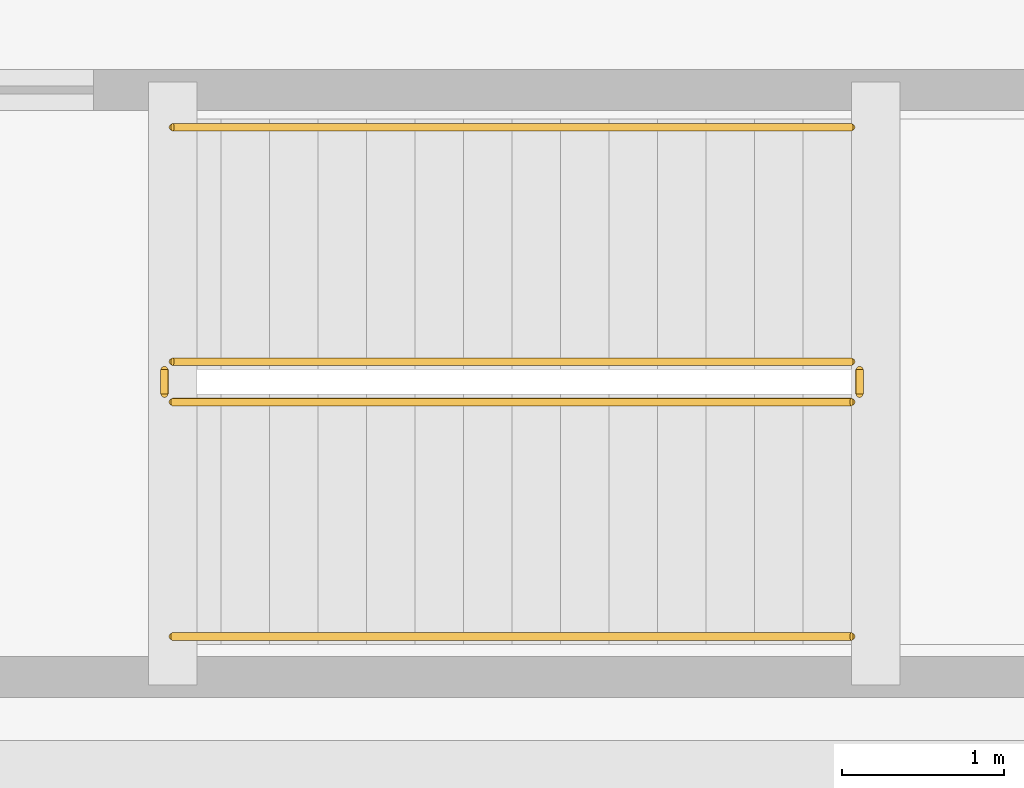
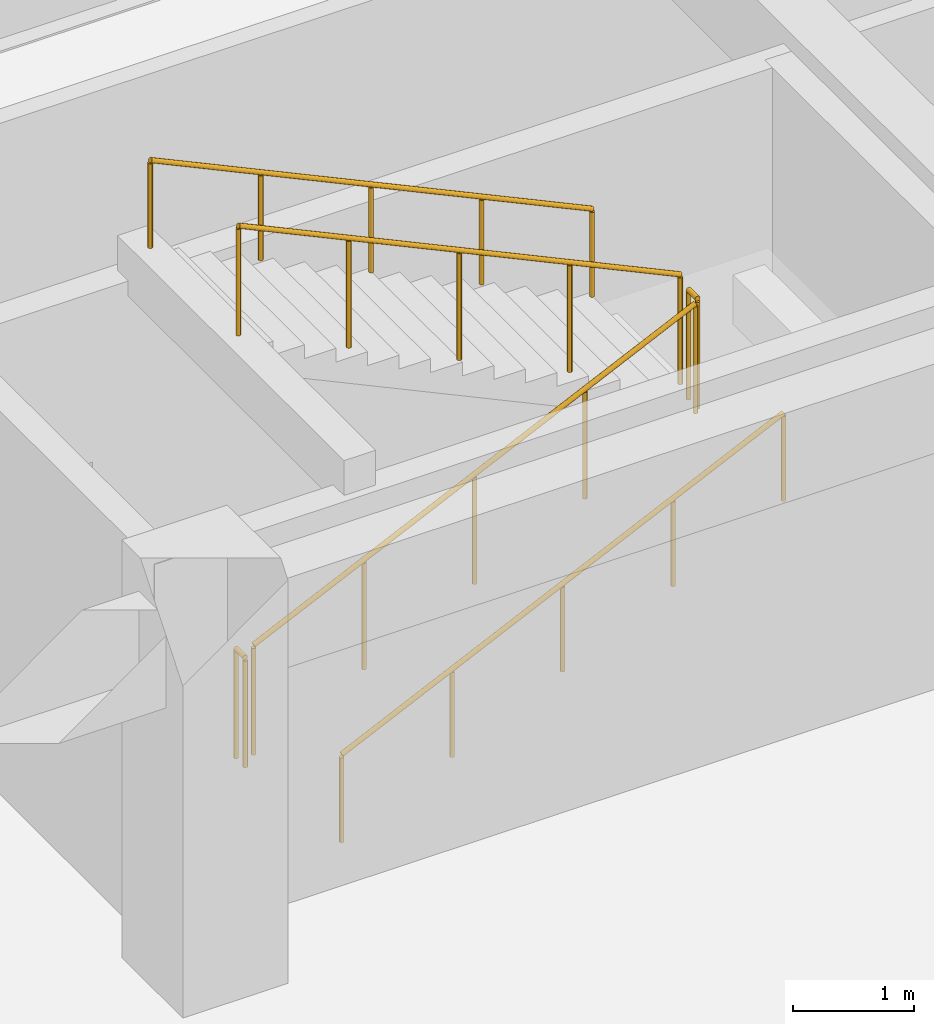
# One storey, part 56 of 63: 6 railings.
"""IFC4 building model written with IfcOpenShell, lengths in metres."""

from ifc_helpers import new_model, si_unit, direction, frame, origin, origin_2d, place, context, subcontext, project, spatial, circle, extrude, material, type_object, element, save


model = new_model("IFC4")

# Units and contexts
model_context = context("Model", 3, precision=1e-05, world=origin(), true_north=direction((0.0, 1.0)))
body_context = subcontext(model_context, "Body", "Model", "MODEL_VIEW")
ifc_project = project(units=[si_unit("LENGTHUNIT", "METRE"), si_unit("AREAUNIT", "SQUARE_METRE"), si_unit("VOLUMEUNIT", "CUBIC_METRE"), si_unit("PLANEANGLEUNIT", "RADIAN"), si_unit("MASSUNIT", "GRAM", prefix="KILO")], contexts=[model_context])

# Site, building, storey
site_placement = place(None, origin())
site = spatial("IfcSite", under=ifc_project, at=site_placement, CompositionType="ELEMENT")
building_placement = place(site_placement, origin())
building = spatial("IfcBuilding", under=site, at=building_placement, Name="Cumbredor Promenade Congress Hotel", CompositionType="ELEMENT")
storey_placement = place(building_placement, frame((0.0, 0.0, -4.199951171875)))
storey = spatial("IfcBuildingStorey", under=building, at=storey_placement, Name="B01", CompositionType="ELEMENT", Elevation=-4.199951171875)

# Railings
ifc_material = material(Name="Brushed stainless steel", Category="steel")
railing_type_1 = type_object("IfcRailingType", Name="Interior Void & Stair Guardrail GR-1100", PredefinedType="GUARDRAIL", material=ifc_material)
railing_1_placement = place(storey_placement, frame((43.800048828125, 103.1201171875, 0.139892578125)))
element("IfcRailing", 1, at=railing_1_placement, inside=storey, type_object=railing_type_1, Name="B01 ST-03 stair guard 1", PredefinedType="GUARDRAIL", context=body_context, shape_type="SweptSolid", body=[
    extrude(circle(Radius=0.02392578125, at=origin_2d()), frame((0.0, 0.0, 1.09619140625), z_axis=(0.906184485727, 0.0, 0.422882581609), x_axis=(0.0, 1.0, 0.0)), (0.0, 0.0, 1.0), 4.634765625),
    extrude(circle(Radius=0.02099609375, at=origin_2d()), origin(), (0.0, 0.0, 1.0), 1.072021484375),
    extrude(circle(Radius=0.02099609375, at=origin_2d()), frame((1.050048828125, 0.0, 0.489990234375)), (0.0, 0.0, 1.0), 1.072021484375),
    extrude(circle(Radius=0.02099609375, at=origin_2d()), frame((2.10009765625, 0.0, 0.97998046875)), (0.0, 0.0, 1.0), 1.072021484375),
    extrude(circle(Radius=0.02099609375, at=origin_2d()), frame((3.14990234375, 0.0, 1.469970703125)), (0.0, 0.0, 1.0), 1.072021484375),
    extrude(circle(Radius=0.02099609375, at=origin_2d()), frame((4.199951171875, 0.0, 1.9599609375)), (0.0, 0.0, 1.0), 1.072021484375),
])
railing_2_placement = place(storey_placement, frame((48.050048828125, 103.169921875, 2.099853515625)))
element("IfcRailing", 2, at=railing_2_placement, inside=storey, type_object=railing_type_1, Name="B01 ST-03 stair guard 2", PredefinedType="GUARDRAIL", context=body_context, shape_type="SweptSolid", body=[
    extrude(circle(Radius=0.02392578125, at=origin_2d()), frame((0.0, 0.0, 1.09619140625), z_axis=(0.0, 1.0, 0.0), x_axis=(-1.0, 0.0, 0.0)), (0.0, 0.0, 1.0), 0.150146484375),
    extrude(circle(Radius=0.02099609375, at=origin_2d()), origin(), (0.0, 0.0, 1.0), 1.072021484375),
    extrude(circle(Radius=0.02099609375, at=origin_2d()), frame((0.0, 0.150146484375, 0.0)), (0.0, 0.0, 1.0), 1.072021484375),
])
railing_3_placement = place(storey_placement, frame((48.0, 103.3701171875, 2.239990234375)))
element("IfcRailing", 3, at=railing_3_placement, inside=storey, type_object=railing_type_1, Name="B01 ST-03 stair guard 3", PredefinedType="GUARDRAIL", context=body_context, shape_type="SweptSolid", body=[
    extrude(circle(Radius=0.02392578125, at=origin_2d()), frame((0.0, 0.0, 1.09619140625), z_axis=(-0.906184485727, 0.0, 0.422882581609), x_axis=(0.0, -1.0, 0.0)), (0.0, 0.0, 1.0), 4.634765625),
    extrude(circle(Radius=0.02099609375, at=origin_2d()), origin(), (0.0, 0.0, 1.0), 1.072021484375),
    extrude(circle(Radius=0.02099609375, at=origin_2d()), frame((-1.050048828125, 0.0, 0.489990234375)), (0.0, 0.0, 1.0), 1.072021484375),
    extrude(circle(Radius=0.02099609375, at=origin_2d()), frame((-2.10009765625, 0.0, 0.97998046875)), (0.0, 0.0, 1.0), 1.072021484375),
    extrude(circle(Radius=0.02099609375, at=origin_2d()), frame((-3.14990234375, 0.0, 1.469970703125)), (0.0, 0.0, 1.0), 1.072021484375),
    extrude(circle(Radius=0.02099609375, at=origin_2d()), frame((-4.199951171875, 0.0, 1.9599609375)), (0.0, 0.0, 1.0), 1.072021484375),
])
railing_4_placement = place(storey_placement, frame((43.75, 103.169921875, 0.0)))
element("IfcRailing", 4, at=railing_4_placement, inside=storey, type_object=railing_type_1, Name="B01 ST-03 stair guard 4", PredefinedType="GUARDRAIL", context=body_context, shape_type="SweptSolid", body=[
    extrude(circle(Radius=0.02392578125, at=origin_2d()), frame((0.0, 0.0, 1.09619140625), z_axis=(0.0, 1.0, 0.0), x_axis=(-1.0, 0.0, 0.0)), (0.0, 0.0, 1.0), 0.150146484375),
    extrude(circle(Radius=0.02099609375, at=origin_2d()), origin(), (0.0, 0.0, 1.0), 1.072021484375),
    extrude(circle(Radius=0.02099609375, at=origin_2d()), frame((0.0, 0.150146484375, 0.0)), (0.0, 0.0, 1.0), 1.072021484375),
])
railing_type_2 = type_object("IfcRailingType", Name="Stair Pitch Handrail HR-900", PredefinedType="HANDRAIL", material=ifc_material)
railing_5_placement = place(storey_placement, frame((43.800048828125, 101.669921875, 0.139892578125)))
element("IfcRailing", 5, at=railing_5_placement, inside=storey, type_object=railing_type_2, Name="B01 ST-03 stair handrail 1", PredefinedType="HANDRAIL", context=body_context, shape_type="SweptSolid", body=[
    extrude(circle(Radius=0.02392578125, at=origin_2d()), frame((0.0, 0.0, 0.8759765625), z_axis=(0.906184485727, 0.0, 0.422882581609), x_axis=(0.0, 1.0, 0.0)), (0.0, 0.0, 1.0), 4.634765625),
    extrude(circle(Radius=0.02099609375, at=origin_2d()), origin(), (0.0, 0.0, 1.0), 0.851806640625),
    extrude(circle(Radius=0.02099609375, at=origin_2d()), frame((1.050048828125, 0.0, 0.489990234375)), (0.0, 0.0, 1.0), 0.851806640625),
    extrude(circle(Radius=0.02099609375, at=origin_2d()), frame((2.10009765625, 0.0, 0.97998046875)), (0.0, 0.0, 1.0), 0.851806640625),
    extrude(circle(Radius=0.02099609375, at=origin_2d()), frame((3.14990234375, 0.0, 1.469970703125)), (0.0, 0.0, 1.0), 0.851806640625),
    extrude(circle(Radius=0.02099609375, at=origin_2d()), frame((4.199951171875, 0.0, 1.9599609375)), (0.0, 0.0, 1.0), 0.851806640625),
])
railing_6_placement = place(storey_placement, frame((48.0, 104.820068359375, 2.239990234375)))
element("IfcRailing", 6, at=railing_6_placement, inside=storey, type_object=railing_type_2, Name="B01 ST-03 stair handrail 2", PredefinedType="HANDRAIL", context=body_context, shape_type="SweptSolid", body=[
    extrude(circle(Radius=0.02392578125, at=origin_2d()), frame((0.0, 0.0, 0.8759765625), z_axis=(-0.906184485727, 0.0, 0.422882581609), x_axis=(0.0, -1.0, 0.0)), (0.0, 0.0, 1.0), 4.634765625),
    extrude(circle(Radius=0.02099609375, at=origin_2d()), origin(), (0.0, 0.0, 1.0), 0.851806640625),
    extrude(circle(Radius=0.02099609375, at=origin_2d()), frame((-1.050048828125, 0.0, 0.489990234375)), (0.0, 0.0, 1.0), 0.851806640625),
    extrude(circle(Radius=0.02099609375, at=origin_2d()), frame((-2.10009765625, 0.0, 0.97998046875)), (0.0, 0.0, 1.0), 0.851806640625),
    extrude(circle(Radius=0.02099609375, at=origin_2d()), frame((-3.14990234375, 0.0, 1.469970703125)), (0.0, 0.0, 1.0), 0.851806640625),
    extrude(circle(Radius=0.02099609375, at=origin_2d()), frame((-4.199951171875, 0.0, 1.9599609375)), (0.0, 0.0, 1.0), 0.851806640625),
])

save(model, "model.ifc")
